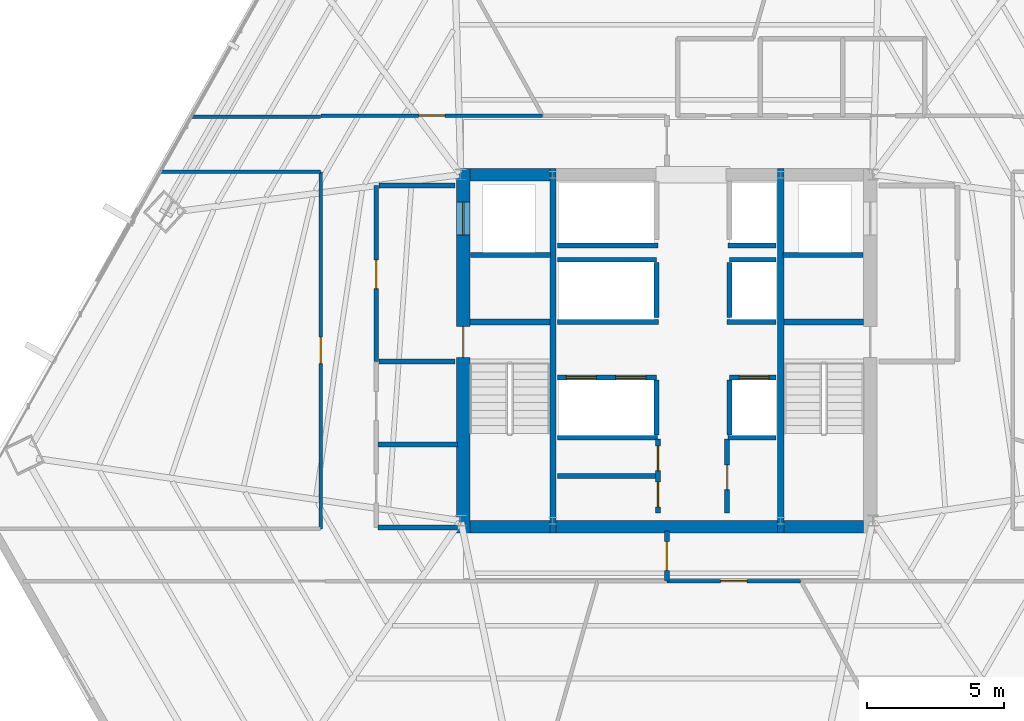
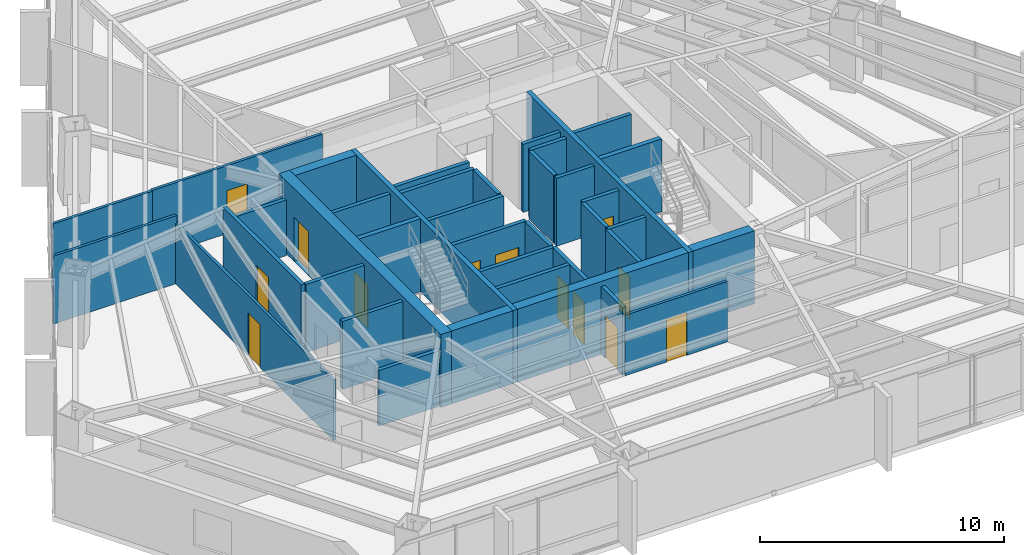
# One storey, part 31 of 36: 39 walls, 13 doors, 13 openings.
"""IFC4 building model written with IfcOpenShell, lengths in metres."""

from ifc_helpers import new_model, si_unit, direction, frame, frame_2d, origin, place, context, subcontext, project, spatial, rectangle, extrude, material, layer, layer_set, type_object, element, fill, save


model = new_model("IFC4")

# Units and contexts
model_context = context("Model", 3, precision=1e-05, world=origin(), true_north=direction((0.0, 1.0)))
body_context = subcontext(model_context, "Body", "Model", "MODEL_VIEW")
ifc_project = project(units=[si_unit("LENGTHUNIT", "METRE"), si_unit("AREAUNIT", "SQUARE_METRE"), si_unit("VOLUMEUNIT", "CUBIC_METRE"), si_unit("PLANEANGLEUNIT", "RADIAN"), si_unit("MASSUNIT", "GRAM", prefix="KILO")], contexts=[model_context])

# Site, building, storey
site_placement = place(None, origin())
site = spatial("IfcSite", under=ifc_project, at=site_placement, CompositionType="ELEMENT")
building_placement = place(site_placement, origin())
building = spatial("IfcBuilding", under=site, at=building_placement, Name="Caelisora Broadcast Tower", CompositionType="ELEMENT")
storey_placement = place(building_placement, frame((0.0, 0.0, 79.85009765625)))
storey = spatial("IfcBuildingStorey", under=building, at=storey_placement, Name="L20", CompositionType="ELEMENT", Elevation=79.85009765625)

# Wall, openings, doors
ifc_material_1 = material(Name="Concrete 50 MPa (AS 3600 S50)", Category="concrete")
ifc_layer_1 = layer(ifc_material_1, 0.5, Name="Concrete 50 MPa (AS 3600 S50)")
ifc_layer_set_1 = layer_set([ifc_layer_1], Name="Concrete 50 MPa (AS 3600 S50)")
wall_type_1 = type_object("IfcWallType", Name="CW2", PredefinedType="SHEAR", material=ifc_layer_set_1)
wall_1_placement = place(storey_placement, frame((30.590087890625, 16.949951171875, 0.0), z_axis=(0.0, 0.0, 1.0), x_axis=(0.0, 1.0, 0.0)))
wall_1 = element("IfcWall", 1, at=wall_1_placement, inside=storey, type_object=wall_type_1, Name="L20 core shear wall CW2", PredefinedType="SHEAR", context=body_context, shape_type="SweptSolid", body=[
    extrude(rectangle(XDim=13.275146484375, YDim=0.5, at=frame_2d((6.6376953125, 0.0))), origin(), (0.0, 0.0, 1.0), 3.64990234375),
])
opening_1_placement = place(wall_1_placement, frame((6.39990234375, 0.0, 0.0)))
opening_1 = element("IfcOpeningElement", 2, at=opening_1_placement, cuts=wall_1, Name="Opening FD04", PredefinedType="OPENING", context=body_context, shape_type="SweptSolid", body=[
    extrude(rectangle(XDim=1.1201171875, YDim=2.14990234375, at=frame_2d((0.56005859375, 1.074951171875))), frame((0.0, 0.261962890625, 0.0), z_axis=(0.0, -1.0, 0.0), x_axis=(1.0, 0.0, 0.0)), (0.0, 0.0, 1.0), 0.52392578125),
])
opening_2_placement = place(wall_1_placement, frame((10.85009765625, 0.0, 0.0)))
opening_2 = element("IfcOpeningElement", 3, at=opening_2_placement, cuts=wall_1, Name="Opening LD04", PredefinedType="OPENING", context=body_context, shape_type="SweptSolid", body=[
    extrude(rectangle(XDim=1.199951171875, YDim=2.199951171875, at=frame_2d((0.60009765625, 1.10009765625))), frame((0.0, 0.261962890625, 0.0), z_axis=(0.0, -1.0, 0.0), x_axis=(1.0, 0.0, 0.0)), (0.0, 0.0, 1.0), 0.52392578125),
])
ifc_material_2 = material(Name="Pressurised Fire-Isolated Stair Door", Category="steel")
door_type_1 = type_object("IfcDoorType", Name="FD04", OperationType="NOTDEFINED", PredefinedType="DOOR", material=ifc_material_2)
door_1_placement = place(opening_1_placement, origin())
door_1 = element("IfcDoor", 4, at=door_1_placement, inside=storey, type_object=door_type_1, Name="L20 door FD04 (L20-DR-ST1)", OperationType="SINGLE_SWING_LEFT", OverallHeight=2.14990234375, OverallWidth=1.1201171875, PredefinedType="DOOR", context=body_context, shape_type="SweptSolid", body=[
    extrude(rectangle(XDim=1.1201171875, YDim=2.14990234375, at=frame_2d((0.56005859375, 1.074951171875))), frame((0.0, 0.02490234375, 0.0), z_axis=(0.0, -1.0, 0.0), x_axis=(1.0, 0.0, 0.0)), (0.0, 0.0, 1.0), 0.050048828125),
])
fill(opening_1, door_1)
ifc_material_3 = material(Name="Emergency Firefighting Lift Sliding Landing Door", Category="steel")
door_type_2 = type_object("IfcDoorType", Name="LD04", OperationType="NOTDEFINED", PredefinedType="DOOR", material=ifc_material_3)
door_2_placement = place(opening_2_placement, origin())
door_2 = element("IfcDoor", 5, at=door_2_placement, inside=storey, type_object=door_type_2, Name="L20 door LD04 (L20-LD-FFL1)", OperationType="SLIDING_TO_LEFT", OverallHeight=2.199951171875, OverallWidth=1.199951171875, PredefinedType="DOOR", context=body_context, shape_type="SweptSolid", body=[
    extrude(rectangle(XDim=1.199951171875, YDim=2.199951171875, at=frame_2d((0.60009765625, 1.10009765625))), frame((0.0, 0.02490234375, 0.0), z_axis=(0.0, -1.0, 0.0), x_axis=(1.0, 0.0, 0.0)), (0.0, 0.0, 1.0), 0.050048828125),
])
fill(opening_2, door_2)

# Walls
ifc_layer_2 = layer(ifc_material_1, 0.449951171875, Name="Concrete 50 MPa (AS 3600 S50)")
ifc_layer_set_2 = layer_set([ifc_layer_2], Name="Concrete 50 MPa (AS 3600 S50)")
wall_type_2 = type_object("IfcWallType", Name="CW5", PredefinedType="SHEAR", material=ifc_layer_set_2)
wall_2_placement = place(storey_placement, frame((30.840087890625, 17.175048828125, 0.0), z_axis=(0.0, 0.0, 1.0), x_axis=(1.0, 0.0, 0.0)))
element("IfcWall", 6, at=wall_2_placement, inside=storey, type_object=wall_type_2, Name="L20 core shear wall CW5", PredefinedType="SHEAR", context=body_context, shape_type="SweptSolid", body=[
    extrude(rectangle(XDim=2.89990234375, YDim=0.449951171875, at=frame_2d((1.449951171875, 0.0))), origin(), (0.0, 0.0, 1.0), 3.64990234375),
])
wall_3_placement = place(storey_placement, frame((33.9599609375, 17.175048828125, 0.0), z_axis=(0.0, 0.0, 1.0), x_axis=(1.0, 0.0, 0.0)))
element("IfcWall", 7, at=wall_3_placement, inside=storey, type_object=wall_type_2, Name="L20 core shear wall CW5", PredefinedType="SHEAR", context=body_context, shape_type="SweptSolid", body=[
    extrude(rectangle(XDim=8.080078125, YDim=0.449951171875, at=frame_2d((4.0400390625, 0.0))), origin(), (0.0, 0.0, 1.0), 3.64990234375),
])
for number, where, z_axis, x_axis, name in (
    (8, (42.260009765625, 17.175048828125, 0.0), (0.0, 0.0, 1.0), (1.0, 0.0, 0.0), "L20 core shear wall CW5"),
    (9, (30.840087890625, 30.0, 0.0), (0.0, 0.0, 1.0), (1.0, 0.0, 0.0), "L20 core shear wall CW5"),
):
    element("IfcWall", number, at=place(storey_placement, frame(where, z_axis=z_axis, x_axis=x_axis)), inside=storey, type_object=wall_type_2, Name=name, PredefinedType="SHEAR", context=body_context, shape_type="SweptSolid", body=[
        extrude(rectangle(XDim=2.89990234375, YDim=0.449951171875, at=frame_2d((1.449951171875, 0.0))), origin(), (0.0, 0.0, 1.0), 3.64990234375),
    ])
ifc_layer_3 = layer(ifc_material_1, 0.219970703125, Name="Concrete 50 MPa (AS 3600 S50)")
ifc_layer_set_3 = layer_set([ifc_layer_3], Name="Concrete 50 MPa (AS 3600 S50)")
wall_type_3 = type_object("IfcWallType", Name="CW7", PredefinedType="SHEAR", material=ifc_layer_set_3)
for number, where, z_axis, x_axis, name in (
    (10, (33.85009765625, 16.949951171875, 0.0), (0.0, 0.0, 1.0), (0.0, 1.0, 0.0), "L20 core shear wall CW7"),
    (11, (42.14990234375, 16.949951171875, 0.0), (0.0, 0.0, 1.0), (0.0, 1.0, 0.0), "L20 core shear wall CW7"),
):
    element("IfcWall", number, at=place(storey_placement, frame(where, z_axis=z_axis, x_axis=x_axis)), inside=storey, type_object=wall_type_3, Name=name, PredefinedType="SHEAR", context=body_context, shape_type="SweptSolid", body=[
        extrude(rectangle(XDim=13.275146484375, YDim=0.219970703125, at=frame_2d((6.6376953125, 0.0))), origin(), (0.0, 0.0, 1.0), 3.64990234375),
    ])
for number, where, z_axis, x_axis, name in (
    (12, (30.840087890625, 24.639892578125, 0.0), (0.0, 0.0, 1.0), (1.0, 0.0, 0.0), "L20 core shear wall CW7"),
    (13, (42.260009765625, 24.639892578125, 0.0), (0.0, 0.0, 1.0), (1.0, 0.0, 0.0), "L20 core shear wall CW7"),
):
    element("IfcWall", number, at=place(storey_placement, frame(where, z_axis=z_axis, x_axis=x_axis)), inside=storey, type_object=wall_type_3, Name=name, PredefinedType="SHEAR", context=body_context, shape_type="SweptSolid", body=[
        extrude(rectangle(XDim=2.89990234375, YDim=0.219970703125, at=frame_2d((1.449951171875, 0.0))), origin(), (0.0, 0.0, 1.0), 3.64990234375),
    ])

# Wall, openings, doors
ifc_material_4 = material(Name="Fire-Rated Gypsum Shaft and Compartment Wall", Category="gypsum")
ifc_layer_4 = layer(ifc_material_4, 0.179931640625, Name="Fire-Rated Gypsum Shaft and Compartment Wall")
ifc_layer_set_4 = layer_set([ifc_layer_4], Name="Fire-Rated Gypsum Shaft and Compartment Wall")
wall_type_4 = type_object("IfcWallType", Name="PW2", PredefinedType="PARTITIONING", material=ifc_layer_set_4)
wall_4_placement = place(storey_placement, frame((34.02001953125, 22.6201171875, 0.0), z_axis=(0.0, 0.0, 1.0), x_axis=(1.0, 0.0, 0.0)))
wall_4 = element("IfcWall", 14, at=wall_4_placement, inside=storey, type_object=wall_type_4, Name="L20 fire compartment wall PW2", PredefinedType="PARTITIONING", context=body_context, shape_type="SweptSolid", body=[
    extrude(rectangle(XDim=3.60009765625, YDim=0.179931640625, at=frame_2d((1.800048828125, 0.0))), origin(), (0.0, 0.0, 1.0), 3.39990234375),
])
opening_3_placement = place(wall_4_placement, frame((0.320068359375, 0.0, 0.0)))
opening_3 = element("IfcOpeningElement", 15, at=opening_3_placement, cuts=wall_4, Name="Opening LD01", PredefinedType="OPENING", context=body_context, shape_type="SweptSolid", body=[
    extrude(rectangle(XDim=1.10009765625, YDim=2.199951171875, at=frame_2d((0.550048828125, 1.10009765625))), frame((0.0, 0.10205078125, 0.0), z_axis=(0.0, -1.0, 0.0), x_axis=(1.0, 0.0, 0.0)), (0.0, 0.0, 1.0), 0.203857421875),
])
opening_4_placement = place(wall_4_placement, frame((2.1201171875, 0.0, 0.0)))
opening_4 = element("IfcOpeningElement", 16, at=opening_4_placement, cuts=wall_4, Name="Opening LD01", PredefinedType="OPENING", context=body_context, shape_type="SweptSolid", body=[
    extrude(rectangle(XDim=1.10009765625, YDim=2.199951171875, at=frame_2d((0.550048828125, 1.10009765625))), frame((0.0, 0.10205078125, 0.0), z_axis=(0.0, -1.0, 0.0), x_axis=(1.0, 0.0, 0.0)), (0.0, 0.0, 1.0), 0.203857421875),
])
ifc_material_5 = material(Name="Stainless Steel Centre-Parting Lift Landing Door", Category="steel")
door_type_3 = type_object("IfcDoorType", Name="LD01", OperationType="NOTDEFINED", PredefinedType="DOOR", material=ifc_material_5)
door_3_placement = place(opening_3_placement, origin())
door_3 = element("IfcDoor", 17, at=door_3_placement, inside=storey, type_object=door_type_3, Name="L20 door LD01 (L20-LD-PLL1)", OperationType="SLIDING_TO_LEFT", OverallHeight=2.199951171875, OverallWidth=1.10009765625, PredefinedType="DOOR", context=body_context, shape_type="SweptSolid", body=[
    extrude(rectangle(XDim=1.10009765625, YDim=2.199951171875, at=frame_2d((0.550048828125, 1.10009765625))), frame((0.0, 0.02490234375, 0.0), z_axis=(0.0, -1.0, 0.0), x_axis=(1.0, 0.0, 0.0)), (0.0, 0.0, 1.0), 0.050048828125),
])
fill(opening_3, door_3)
door_4_placement = place(opening_4_placement, origin())
door_4 = element("IfcDoor", 18, at=door_4_placement, inside=storey, type_object=door_type_3, Name="L20 door LD01 (L20-LD-PLL2)", OperationType="SLIDING_TO_RIGHT", OverallHeight=2.199951171875, OverallWidth=1.10009765625, PredefinedType="DOOR", context=body_context, shape_type="SweptSolid", body=[
    extrude(rectangle(XDim=1.10009765625, YDim=2.199951171875, at=frame_2d((0.550048828125, 1.10009765625))), frame((0.0, 0.02490234375, 0.0), z_axis=(0.0, -1.0, 0.0), x_axis=(1.0, 0.0, 0.0)), (0.0, 0.0, 1.0), 0.050048828125),
])
fill(opening_4, door_4)

# Wall, opening, door
wall_5_placement = place(storey_placement, frame((40.280029296875, 22.6201171875, 0.0), z_axis=(0.0, 0.0, 1.0), x_axis=(1.0, 0.0, 0.0)))
wall_5 = element("IfcWall", 19, at=wall_5_placement, inside=storey, type_object=wall_type_4, Name="L20 fire compartment wall PW2", PredefinedType="PARTITIONING", context=body_context, shape_type="SweptSolid", body=[
    extrude(rectangle(XDim=1.699951171875, YDim=0.179931640625, at=frame_2d((0.85009765625, 0.0))), origin(), (0.0, 0.0, 1.0), 3.39990234375),
])
opening_5_placement = place(wall_5_placement, frame((0.35009765625, 0.0, 0.0)))
opening_5 = element("IfcOpeningElement", 20, at=opening_5_placement, cuts=wall_5, Name="Opening LD01", PredefinedType="OPENING", context=body_context, shape_type="SweptSolid", body=[
    extrude(rectangle(XDim=1.10009765625, YDim=2.199951171875, at=frame_2d((0.550048828125, 1.10009765625))), frame((0.0, 0.10205078125, 0.0), z_axis=(0.0, -1.0, 0.0), x_axis=(1.0, 0.0, 0.0)), (0.0, 0.0, 1.0), 0.203857421875),
])
door_5_placement = place(opening_5_placement, origin())
door_5 = element("IfcDoor", 21, at=door_5_placement, inside=storey, type_object=door_type_3, Name="L20 door LD01 (L20-LD-PLL3)", OperationType="SLIDING_TO_LEFT", OverallHeight=2.199951171875, OverallWidth=1.10009765625, PredefinedType="DOOR", context=body_context, shape_type="SweptSolid", body=[
    extrude(rectangle(XDim=1.10009765625, YDim=2.199951171875, at=frame_2d((0.550048828125, 1.10009765625))), frame((0.0, 0.02490234375, 0.0), z_axis=(0.0, -1.0, 0.0), x_axis=(1.0, 0.0, 0.0)), (0.0, 0.0, 1.0), 0.050048828125),
])
fill(opening_5, door_5)

# Walls
for number, where, z_axis, x_axis, name in (
    (22, (37.6201171875, 20.52001953125, 0.0), (0.0, 0.0, 1.0), (0.0, 1.0, 0.0), "L20 fire compartment wall PW2"),
    (23, (40.280029296875, 20.52001953125, 0.0), (0.0, 0.0, 1.0), (0.0, 1.0, 0.0), "L20 fire compartment wall PW2"),
):
    element("IfcWall", number, at=place(storey_placement, frame(where, z_axis=z_axis, x_axis=x_axis)), inside=storey, type_object=wall_type_4, Name=name, PredefinedType="PARTITIONING", context=body_context, shape_type="SweptSolid", body=[
        extrude(rectangle(XDim=2.0, YDim=0.179931640625, at=frame_2d((1.0, 0.0))), origin(), (0.0, 0.0, 1.0), 3.39990234375),
    ])
wall_6_placement = place(storey_placement, frame((34.02001953125, 26.89990234375, 0.0), z_axis=(0.0, 0.0, 1.0), x_axis=(1.0, 0.0, 0.0)))
element("IfcWall", 24, at=wall_6_placement, inside=storey, type_object=wall_type_4, Name="L20 fire compartment wall PW2", PredefinedType="PARTITIONING", context=body_context, shape_type="SweptSolid", body=[
    extrude(rectangle(XDim=3.60009765625, YDim=0.179931640625, at=frame_2d((1.800048828125, 0.0))), origin(), (0.0, 0.0, 1.0), 3.39990234375),
])
wall_7_placement = place(storey_placement, frame((40.280029296875, 26.89990234375, 0.0), z_axis=(0.0, 0.0, 1.0), x_axis=(1.0, 0.0, 0.0)))
element("IfcWall", 25, at=wall_7_placement, inside=storey, type_object=wall_type_4, Name="L20 fire compartment wall PW2", PredefinedType="PARTITIONING", context=body_context, shape_type="SweptSolid", body=[
    extrude(rectangle(XDim=1.699951171875, YDim=0.179931640625, at=frame_2d((0.85009765625, 0.0))), origin(), (0.0, 0.0, 1.0), 3.39990234375),
])
for number, where, z_axis, x_axis, name in (
    (26, (37.6201171875, 24.800048828125, 0.0), (0.0, 0.0, 1.0), (0.0, 1.0, 0.0), "L20 fire compartment wall PW2"),
    (27, (40.280029296875, 24.800048828125, 0.0), (0.0, 0.0, 1.0), (0.0, 1.0, 0.0), "L20 fire compartment wall PW2"),
):
    element("IfcWall", number, at=place(storey_placement, frame(where, z_axis=z_axis, x_axis=x_axis)), inside=storey, type_object=wall_type_4, Name=name, PredefinedType="PARTITIONING", context=body_context, shape_type="SweptSolid", body=[
        extrude(rectangle(XDim=2.0, YDim=0.179931640625, at=frame_2d((1.0, 0.0))), origin(), (0.0, 0.0, 1.0), 3.39990234375),
    ])
wall_8_placement = place(storey_placement, frame((34.02001953125, 24.639892578125, 0.0), z_axis=(0.0, 0.0, 1.0), x_axis=(1.0, 0.0, 0.0)))
element("IfcWall", 28, at=wall_8_placement, inside=storey, type_object=wall_type_4, Name="L20 fire compartment wall PW2", PredefinedType="PARTITIONING", context=body_context, shape_type="SweptSolid", body=[
    extrude(rectangle(XDim=3.679931640625, YDim=0.179931640625, at=frame_2d((1.83984375, 0.0))), origin(), (0.0, 0.0, 1.0), 3.39990234375),
])
wall_9_placement = place(storey_placement, frame((40.199951171875, 24.639892578125, 0.0), z_axis=(0.0, 0.0, 1.0), x_axis=(1.0, 0.0, 0.0)))
element("IfcWall", 29, at=wall_9_placement, inside=storey, type_object=wall_type_4, Name="L20 fire compartment wall PW2", PredefinedType="PARTITIONING", context=body_context, shape_type="SweptSolid", body=[
    extrude(rectangle(XDim=1.780029296875, YDim=0.179931640625, at=frame_2d((0.89013671875, 0.0))), origin(), (0.0, 0.0, 1.0), 3.39990234375),
])
wall_10_placement = place(storey_placement, frame((34.02001953125, 27.419921875, 0.0), z_axis=(0.0, 0.0, 1.0), x_axis=(1.0, 0.0, 0.0)))
element("IfcWall", 30, at=wall_10_placement, inside=storey, type_object=wall_type_4, Name="L20 fire compartment wall PW2", PredefinedType="PARTITIONING", context=body_context, shape_type="SweptSolid", body=[
    extrude(rectangle(XDim=3.659912109375, YDim=0.179931640625, at=frame_2d((1.830078125, 0.0))), origin(), (0.0, 0.0, 1.0), 3.39990234375),
])
wall_11_placement = place(storey_placement, frame((40.219970703125, 27.419921875, 0.0), z_axis=(0.0, 0.0, 1.0), x_axis=(1.0, 0.0, 0.0)))
element("IfcWall", 31, at=wall_11_placement, inside=storey, type_object=wall_type_4, Name="L20 fire compartment wall PW2", PredefinedType="PARTITIONING", context=body_context, shape_type="SweptSolid", body=[
    extrude(rectangle(XDim=1.760009765625, YDim=0.179931640625, at=frame_2d((0.8798828125, 0.0))), origin(), (0.0, 0.0, 1.0), 3.39990234375),
])

# Wall, opening, door
wall_12_placement = place(storey_placement, frame((27.419921875, 23.199951171875, 0.0), z_axis=(0.0, 0.0, 1.0), x_axis=(0.0, 1.0, 0.0)))
wall_12 = element("IfcWall", 32, at=wall_12_placement, inside=storey, type_object=wall_type_4, Name="L20 fire compartment wall PW2", PredefinedType="PARTITIONING", context=body_context, shape_type="SweptSolid", body=[
    extrude(rectangle(XDim=6.400146484375, YDim=0.179931640625, at=frame_2d((3.2001953125, 0.0))), origin(), (0.0, 0.0, 1.0), 3.39990234375),
])
opening_6_placement = place(wall_12_placement, frame((2.64990234375, 0.0, 0.0)))
opening_6 = element("IfcOpeningElement", 33, at=opening_6_placement, cuts=wall_12, Name="Opening FD02", PredefinedType="OPENING", context=body_context, shape_type="SweptSolid", body=[
    extrude(rectangle(XDim=1.050048828125, YDim=2.14990234375, at=frame_2d((0.52490234375, 1.074951171875))), frame((0.0, 0.10205078125, 0.0), z_axis=(0.0, -1.0, 0.0), x_axis=(1.0, 0.0, 0.0)), (0.0, 0.0, 1.0), 0.203857421875),
])
ifc_material_6 = material(Name="Single-Leaf Steel Fire Lobby Door", Category="steel")
door_type_4 = type_object("IfcDoorType", Name="FD02", OperationType="NOTDEFINED", PredefinedType="DOOR", material=ifc_material_6)
door_6_placement = place(opening_6_placement, origin())
door_6 = element("IfcDoor", 34, at=door_6_placement, inside=storey, type_object=door_type_4, Name="L20 door FD02 (L20-DR-P01D1)", OperationType="SINGLE_SWING_LEFT", OverallHeight=2.14990234375, OverallWidth=1.050048828125, PredefinedType="DOOR", context=body_context, shape_type="SweptSolid", body=[
    extrude(rectangle(XDim=1.050048828125, YDim=2.14990234375, at=frame_2d((0.52490234375, 1.074951171875))), frame((0.0, 0.02490234375, 0.0), z_axis=(0.0, -1.0, 0.0), x_axis=(1.0, 0.0, 0.0)), (0.0, 0.0, 1.0), 0.050048828125),
])
fill(opening_6, door_6)

# Walls
wall_13_placement = place(storey_placement, frame((27.52001953125, 23.199951171875, 0.0), z_axis=(0.0, 0.0, 1.0), x_axis=(1.0, 0.0, 0.0)))
element("IfcWall", 35, at=wall_13_placement, inside=storey, type_object=wall_type_4, Name="L20 fire compartment wall PW2", PredefinedType="PARTITIONING", context=body_context, shape_type="SweptSolid", body=[
    extrude(rectangle(XDim=2.760009765625, YDim=0.179931640625, at=frame_2d((1.3798828125, 0.0))), origin(), (0.0, 0.0, 1.0), 3.39990234375),
])
wall_14_placement = place(storey_placement, frame((27.52001953125, 29.60009765625, 0.0), z_axis=(0.0, 0.0, 1.0), x_axis=(1.0, 0.0, 0.0)))
element("IfcWall", 36, at=wall_14_placement, inside=storey, type_object=wall_type_4, Name="L20 fire compartment wall PW2", PredefinedType="PARTITIONING", context=body_context, shape_type="SweptSolid", body=[
    extrude(rectangle(XDim=2.760009765625, YDim=0.179931640625, at=frame_2d((1.3798828125, 0.0))), origin(), (0.0, 0.0, 1.0), 2.78271484375),
])
for number, where, z_axis, x_axis, name in (
    (37, (30.860107421875, 27.070068359375, 0.0), (0.0, 0.0, 1.0), (1.0, 0.0, 0.0), "L20 fire compartment wall PW2"),
    (38, (42.239990234375, 27.070068359375, 0.0), (0.0, 0.0, 1.0), (1.0, 0.0, 0.0), "L20 fire compartment wall PW2"),
):
    element("IfcWall", number, at=place(storey_placement, frame(where, z_axis=z_axis, x_axis=x_axis)), inside=storey, type_object=wall_type_4, Name=name, PredefinedType="PARTITIONING", context=body_context, shape_type="SweptSolid", body=[
        extrude(rectangle(XDim=2.89990234375, YDim=0.179931640625, at=frame_2d((1.449951171875, 0.0))), origin(), (0.0, 0.0, 1.0), 3.39990234375),
    ])
wall_15_placement = place(storey_placement, frame((34.02001953125, 20.419921875, 0.0), z_axis=(0.0, 0.0, 1.0), x_axis=(1.0, 0.0, 0.0)))
element("IfcWall", 39, at=wall_15_placement, inside=storey, type_object=wall_type_4, Name="L20 fire compartment wall PW2", PredefinedType="PARTITIONING", context=body_context, shape_type="SweptSolid", body=[
    extrude(rectangle(XDim=3.639892578125, YDim=0.179931640625, at=frame_2d((1.81982421875, 0.0))), origin(), (0.0, 0.0, 1.0), 3.39990234375),
])
wall_16_placement = place(storey_placement, frame((40.219970703125, 20.419921875, 0.0), z_axis=(0.0, 0.0, 1.0), x_axis=(1.0, 0.0, 0.0)))
element("IfcWall", 40, at=wall_16_placement, inside=storey, type_object=wall_type_4, Name="L20 fire compartment wall PW2", PredefinedType="PARTITIONING", context=body_context, shape_type="SweptSolid", body=[
    extrude(rectangle(XDim=1.760009765625, YDim=0.179931640625, at=frame_2d((0.8798828125, 0.0))), origin(), (0.0, 0.0, 1.0), 3.39990234375),
])
wall_17_placement = place(storey_placement, frame((34.02001953125, 19.02001953125, 0.0), z_axis=(0.0, 0.0, 1.0), x_axis=(1.0, 0.0, 0.0)))
element("IfcWall", 41, at=wall_17_placement, inside=storey, type_object=wall_type_4, Name="L20 fire compartment wall PW2", PredefinedType="PARTITIONING", context=body_context, shape_type="SweptSolid", body=[
    extrude(rectangle(XDim=3.580078125, YDim=0.179931640625, at=frame_2d((1.7900390625, 0.0))), origin(), (0.0, 0.0, 1.0), 3.39990234375),
])

# Wall, openings, doors
wall_18_placement = place(storey_placement, frame((37.679931640625, 17.679931640625, 0.0), z_axis=(0.0, 0.0, 1.0), x_axis=(0.0, 1.0, 0.0)))
wall_18 = element("IfcWall", 42, at=wall_18_placement, inside=storey, type_object=wall_type_4, Name="L20 fire compartment wall PW2", PredefinedType="PARTITIONING", context=body_context, shape_type="SweptSolid", body=[
    extrude(rectangle(XDim=2.699951171875, YDim=0.179931640625, at=frame_2d((1.35009765625, 0.0))), origin(), (0.0, 0.0, 1.0), 3.39990234375),
])
opening_7_placement = place(wall_18_placement, frame((0.219970703125, 0.0, 0.0)))
opening_7 = element("IfcOpeningElement", 43, at=opening_7_placement, cuts=wall_18, Name="Opening FD03", PredefinedType="OPENING", context=body_context, shape_type="SweptSolid", body=[
    extrude(rectangle(XDim=0.89990234375, YDim=2.10009765625, at=frame_2d((0.449951171875, 1.050048828125))), frame((0.0, 0.10205078125, 0.0), z_axis=(0.0, -1.0, 0.0), x_axis=(1.0, 0.0, 0.0)), (0.0, 0.0, 1.0), 0.203857421875),
])
opening_8_placement = place(wall_18_placement, frame((1.5400390625, 0.0, 0.0)))
opening_8 = element("IfcOpeningElement", 44, at=opening_8_placement, cuts=wall_18, Name="Opening FD03", PredefinedType="OPENING", context=body_context, shape_type="SweptSolid", body=[
    extrude(rectangle(XDim=0.89990234375, YDim=2.10009765625, at=frame_2d((0.449951171875, 1.050048828125))), frame((0.0, 0.10205078125, 0.0), z_axis=(0.0, -1.0, 0.0), x_axis=(1.0, 0.0, 0.0)), (0.0, 0.0, 1.0), 0.203857421875),
])
ifc_material_7 = material(Name="Single-Leaf Steel Riser Fire Access Door", Category="steel")
door_type_5 = type_object("IfcDoorType", Name="FD03", OperationType="NOTDEFINED", PredefinedType="DOOR", material=ifc_material_7)
door_7_placement = place(opening_7_placement, origin())
door_7 = element("IfcDoor", 45, at=door_7_placement, inside=storey, type_object=door_type_5, Name="L20 door FD03 (L20-DR-P12D1)", OperationType="SINGLE_SWING_LEFT", OverallHeight=2.10009765625, OverallWidth=0.89990234375, PredefinedType="DOOR", context=body_context, shape_type="SweptSolid", body=[
    extrude(rectangle(XDim=0.89990234375, YDim=2.10009765625, at=frame_2d((0.449951171875, 1.050048828125))), frame((0.0, 0.02490234375, 0.0), z_axis=(0.0, -1.0, 0.0), x_axis=(1.0, 0.0, 0.0)), (0.0, 0.0, 1.0), 0.050048828125),
])
fill(opening_7, door_7)
door_8_placement = place(opening_8_placement, origin())
door_8 = element("IfcDoor", 46, at=door_8_placement, inside=storey, type_object=door_type_5, Name="L20 door FD03 (L20-DR-P12D2)", OperationType="SINGLE_SWING_RIGHT", OverallHeight=2.10009765625, OverallWidth=0.89990234375, PredefinedType="DOOR", context=body_context, shape_type="SweptSolid", body=[
    extrude(rectangle(XDim=0.89990234375, YDim=2.10009765625, at=frame_2d((0.449951171875, 1.050048828125))), frame((0.0, 0.02490234375, 0.0), z_axis=(0.0, -1.0, 0.0), x_axis=(1.0, 0.0, 0.0)), (0.0, 0.0, 1.0), 0.050048828125),
])
fill(opening_8, door_8)

# Wall, opening, door
wall_19_placement = place(storey_placement, frame((40.199951171875, 17.679931640625, 0.0), z_axis=(0.0, 0.0, 1.0), x_axis=(0.0, 1.0, 0.0)))
wall_19 = element("IfcWall", 47, at=wall_19_placement, inside=storey, type_object=wall_type_4, Name="L20 fire compartment wall PW2", PredefinedType="PARTITIONING", context=body_context, shape_type="SweptSolid", body=[
    extrude(rectangle(XDim=2.699951171875, YDim=0.179931640625, at=frame_2d((1.35009765625, 0.0))), origin(), (0.0, 0.0, 1.0), 3.39990234375),
])
opening_9_placement = place(wall_19_placement, frame((0.85009765625, 0.0, 0.0)))
opening_9 = element("IfcOpeningElement", 48, at=opening_9_placement, cuts=wall_19, Name="Opening FD03", PredefinedType="OPENING", context=body_context, shape_type="SweptSolid", body=[
    extrude(rectangle(XDim=0.89990234375, YDim=2.10009765625, at=frame_2d((0.449951171875, 1.050048828125))), frame((0.0, 0.10205078125, 0.0), z_axis=(0.0, -1.0, 0.0), x_axis=(1.0, 0.0, 0.0)), (0.0, 0.0, 1.0), 0.203857421875),
])
door_9_placement = place(opening_9_placement, origin())
door_9 = element("IfcDoor", 49, at=door_9_placement, inside=storey, type_object=door_type_5, Name="L20 door FD03 (L20-DR-P13D1)", OperationType="SINGLE_SWING_LEFT", OverallHeight=2.10009765625, OverallWidth=0.89990234375, PredefinedType="DOOR", context=body_context, shape_type="SweptSolid", body=[
    extrude(rectangle(XDim=0.89990234375, YDim=2.10009765625, at=frame_2d((0.449951171875, 1.050048828125))), frame((0.0, 0.02490234375, 0.0), z_axis=(0.0, -1.0, 0.0), x_axis=(1.0, 0.0, 0.0)), (0.0, 0.0, 1.0), 0.050048828125),
])
fill(opening_9, door_9)

# Walls
wall_20_placement = place(storey_placement, frame((27.47998046875, 20.169921875, 0.0), z_axis=(0.0, 0.0, 1.0), x_axis=(1.0, 0.0, 0.0)))
element("IfcWall", 50, at=wall_20_placement, inside=storey, type_object=wall_type_4, Name="L20 fire compartment wall PW2", PredefinedType="PARTITIONING", context=body_context, shape_type="SweptSolid", body=[
    extrude(rectangle(XDim=2.89990234375, YDim=0.179931640625, at=frame_2d((1.449951171875, 0.0))), origin(), (0.0, 0.0, 1.0), 3.39990234375),
])
wall_21_placement = place(storey_placement, frame((27.47998046875, 17.14990234375, 0.0), z_axis=(0.0, 0.0, 1.0), x_axis=(1.0, 0.0, 0.0)))
element("IfcWall", 51, at=wall_21_placement, inside=storey, type_object=wall_type_4, Name="L20 fire compartment wall PW2", PredefinedType="PARTITIONING", context=body_context, shape_type="SweptSolid", body=[
    extrude(rectangle(XDim=2.89990234375, YDim=0.179931640625, at=frame_2d((1.449951171875, 0.0))), origin(), (0.0, 0.0, 1.0), 2.78271484375),
])

# Wall, opening, door
wall_22_placement = place(storey_placement, frame((38.0, 15.205078125, 0.0), z_axis=(0.0, 0.0, 1.0), x_axis=(0.0, 1.0, 0.0)))
wall_22 = element("IfcWall", 52, at=wall_22_placement, inside=storey, type_object=wall_type_4, Name="L20 fire compartment wall PW2", PredefinedType="PARTITIONING", context=body_context, shape_type="SweptSolid", body=[
    extrude(rectangle(XDim=1.81982421875, YDim=0.179931640625, at=frame_2d((0.909912109375, 0.0))), origin(), (0.0, 0.0, 1.0), 3.39990234375),
])
opening_10_placement = place(wall_22_placement, frame((0.385009765625, 0.0, 0.0)))
opening_10 = element("IfcOpeningElement", 53, at=opening_10_placement, cuts=wall_22, Name="Opening FD02", PredefinedType="OPENING", context=body_context, shape_type="SweptSolid", body=[
    extrude(rectangle(XDim=1.050048828125, YDim=2.14990234375, at=frame_2d((0.52490234375, 1.074951171875))), frame((0.0, 0.10205078125, 0.0), z_axis=(0.0, -1.0, 0.0), x_axis=(1.0, 0.0, 0.0)), (0.0, 0.0, 1.0), 0.203857421875),
])
door_10_placement = place(opening_10_placement, origin())
door_10 = element("IfcDoor", 54, at=door_10_placement, inside=storey, type_object=door_type_4, Name="L20 door FD02 (L20-DR-P49D1)", OperationType="SINGLE_SWING_RIGHT", OverallHeight=2.14990234375, OverallWidth=1.050048828125, PredefinedType="DOOR", context=body_context, shape_type="SweptSolid", body=[
    extrude(rectangle(XDim=1.050048828125, YDim=2.14990234375, at=frame_2d((0.52490234375, 1.074951171875))), frame((0.0, 0.02490234375, 0.0), z_axis=(0.0, -1.0, 0.0), x_axis=(1.0, 0.0, 0.0)), (0.0, 0.0, 1.0), 0.050048828125),
])
fill(opening_10, door_10)

ifc_material_8 = material(Name="Acoustic Steel-Stud Plasterboard Partition", Category="gypsum")
ifc_layer_5 = layer(ifc_material_8, 0.1298828125, Name="Acoustic Steel-Stud Plasterboard Partition")
ifc_layer_set_5 = layer_set([ifc_layer_5], Name="Acoustic Steel-Stud Plasterboard Partition")
wall_type_5 = type_object("IfcWallType", Name="PW3", PredefinedType="PARTITIONING", material=ifc_layer_set_5)
wall_23_placement = place(storey_placement, frame((25.39990234375, 17.10498046875, 0.0), z_axis=(0.0, 0.0, 1.0), x_axis=(0.0, 1.0, 0.0)))
wall_23 = element("IfcWall", 55, at=wall_23_placement, inside=storey, type_object=wall_type_5, Name="L20 internal partition PW3", PredefinedType="PARTITIONING", context=body_context, shape_type="SweptSolid", body=[
    extrude(rectangle(XDim=12.989990234375, YDim=0.1298828125, at=frame_2d((6.4951171875, 0.0))), origin(), (0.0, 0.0, 1.0), 3.0263671875),
])
opening_11_placement = place(wall_23_placement, frame((6.014892578125, 0.0, 0.0)))
opening_11 = element("IfcOpeningElement", 56, at=opening_11_placement, cuts=wall_23, Name="Opening D01", PredefinedType="OPENING", context=body_context, shape_type="SweptSolid", body=[
    extrude(rectangle(XDim=0.9599609375, YDim=2.14990234375, at=frame_2d((0.47998046875, 1.074951171875))), frame((0.0, 0.076904296875, 0.0), z_axis=(0.0, -1.0, 0.0), x_axis=(1.0, 0.0, 0.0)), (0.0, 0.0, 1.0), 0.15380859375),
])
ifc_material_9 = material(Name="Solid-Core Timber Acoustic Office Door", Category="wood")
door_type_6 = type_object("IfcDoorType", Name="D01", OperationType="NOTDEFINED", PredefinedType="DOOR", material=ifc_material_9)
door_11_placement = place(opening_11_placement, origin())
door_11 = element("IfcDoor", 57, at=door_11_placement, inside=storey, type_object=door_type_6, Name="L20 door D01 (L20-DR-P31D1)", OperationType="SINGLE_SWING_LEFT", OverallHeight=2.14990234375, OverallWidth=0.9599609375, PredefinedType="DOOR", context=body_context, shape_type="SweptSolid", body=[
    extrude(rectangle(XDim=0.9599609375, YDim=2.14990234375, at=frame_2d((0.47998046875, 1.074951171875))), frame((0.0, 0.02490234375, 0.0), z_axis=(0.0, -1.0, 0.0), x_axis=(1.0, 0.0, 0.0)), (0.0, 0.0, 1.0), 0.050048828125),
])
fill(opening_11, door_11)

wall_24_placement = place(storey_placement, frame((25.405029296875, 32.14990234375, 0.0), z_axis=(0.0, 0.0, 1.0), x_axis=(1.0, 0.0, 0.0)))
wall_24 = element("IfcWall", 58, at=wall_24_placement, inside=storey, type_object=wall_type_5, Name="L20 internal partition PW3", PredefinedType="PARTITIONING", context=body_context, shape_type="SweptSolid", body=[
    extrude(rectangle(XDim=8.070068359375, YDim=0.1298828125, at=frame_2d((4.03515625, 0.0))), origin(), (0.0, 0.0, 1.0), 3.39990234375),
])
opening_12_placement = place(wall_24_placement, frame((3.554931640625, 0.0, 0.0)))
opening_12 = element("IfcOpeningElement", 59, at=opening_12_placement, cuts=wall_24, Name="Opening D01", PredefinedType="OPENING", context=body_context, shape_type="SweptSolid", body=[
    extrude(rectangle(XDim=0.9599609375, YDim=2.14990234375, at=frame_2d((0.47998046875, 1.074951171875))), frame((0.0, 0.076904296875, 0.0), z_axis=(0.0, -1.0, 0.0), x_axis=(1.0, 0.0, 0.0)), (0.0, 0.0, 1.0), 0.15380859375),
])
door_12_placement = place(opening_12_placement, origin())
door_12 = element("IfcDoor", 60, at=door_12_placement, inside=storey, type_object=door_type_6, Name="L20 door D01 (L20-DR-P38D1)", OperationType="SINGLE_SWING_RIGHT", OverallHeight=2.14990234375, OverallWidth=0.9599609375, PredefinedType="DOOR", context=body_context, shape_type="SweptSolid", body=[
    extrude(rectangle(XDim=0.9599609375, YDim=2.14990234375, at=frame_2d((0.47998046875, 1.074951171875))), frame((0.0, 0.02490234375, 0.0), z_axis=(0.0, -1.0, 0.0), x_axis=(1.0, 0.0, 0.0)), (0.0, 0.0, 1.0), 0.050048828125),
])
fill(opening_12, door_12)

# Wall
wall_25_placement = place(storey_placement, frame((25.39501953125, 30.10009765625, 0.0), z_axis=(0.0, 0.0, 1.0), x_axis=(-1.0, 0.0, 0.0)))
element("IfcWall", 61, at=wall_25_placement, inside=storey, type_object=wall_type_5, Name="L20 internal partition PW3", PredefinedType="PARTITIONING", context=body_context, shape_type="SweptSolid", body=[
    extrude(rectangle(XDim=5.828125, YDim=0.1298828125, at=frame_2d((2.9140625, 0.0))), origin(), (0.0, 0.0, 1.0), 3.39990234375),
])

# Wall, opening, door
wall_26_placement = place(storey_placement, frame((38.0048828125, 15.199951171875, 0.0), z_axis=(0.0, 0.0, 1.0), x_axis=(1.0, 0.0, 0.0)))
wall_26 = element("IfcWall", 62, at=wall_26_placement, inside=storey, type_object=wall_type_5, Name="L20 internal partition PW3", PredefinedType="PARTITIONING", context=body_context, shape_type="SweptSolid", body=[
    extrude(rectangle(XDim=4.8701171875, YDim=0.1298828125, at=frame_2d((2.43505859375, 0.0))), origin(), (0.0, 0.0, 1.0), 3.0263671875),
])
opening_13_placement = place(wall_26_placement, frame((1.955078125, 0.0, 0.0)))
opening_13 = element("IfcOpeningElement", 63, at=opening_13_placement, cuts=wall_26, Name="Opening D01", PredefinedType="OPENING", context=body_context, shape_type="SweptSolid", body=[
    extrude(rectangle(XDim=0.9599609375, YDim=2.14990234375, at=frame_2d((0.47998046875, 1.074951171875))), frame((0.0, 0.076904296875, 0.0), z_axis=(0.0, -1.0, 0.0), x_axis=(1.0, 0.0, 0.0)), (0.0, 0.0, 1.0), 0.15380859375),
])
door_13_placement = place(opening_13_placement, origin())
door_13 = element("IfcDoor", 64, at=door_13_placement, inside=storey, type_object=door_type_6, Name="L20 door D01 (L20-DR-P42D1)", OperationType="SINGLE_SWING_RIGHT", OverallHeight=2.14990234375, OverallWidth=0.9599609375, PredefinedType="DOOR", context=body_context, shape_type="SweptSolid", body=[
    extrude(rectangle(XDim=0.9599609375, YDim=2.14990234375, at=frame_2d((0.47998046875, 1.074951171875))), frame((0.0, 0.02490234375, 0.0), z_axis=(0.0, -1.0, 0.0), x_axis=(1.0, 0.0, 0.0)), (0.0, 0.0, 1.0), 0.050048828125),
])
fill(opening_13, door_13)

# Wall
wall_27_placement = place(storey_placement, frame((20.69677734375, 32.10009765625, 0.0), z_axis=(0.0, 0.0, 1.0), x_axis=(1.0, 0.0, 0.0)))
element("IfcWall", 65, at=wall_27_placement, inside=storey, type_object=wall_type_5, Name="L20 internal partition PW3", PredefinedType="PARTITIONING", context=body_context, shape_type="SweptSolid", body=[
    extrude(rectangle(XDim=4.6982421875, YDim=0.1298828125, at=frame_2d((2.34912109375, 0.0))), origin(), (0.0, 0.0, 1.0), 3.39990234375),
])

save(model, "model.ifc")
